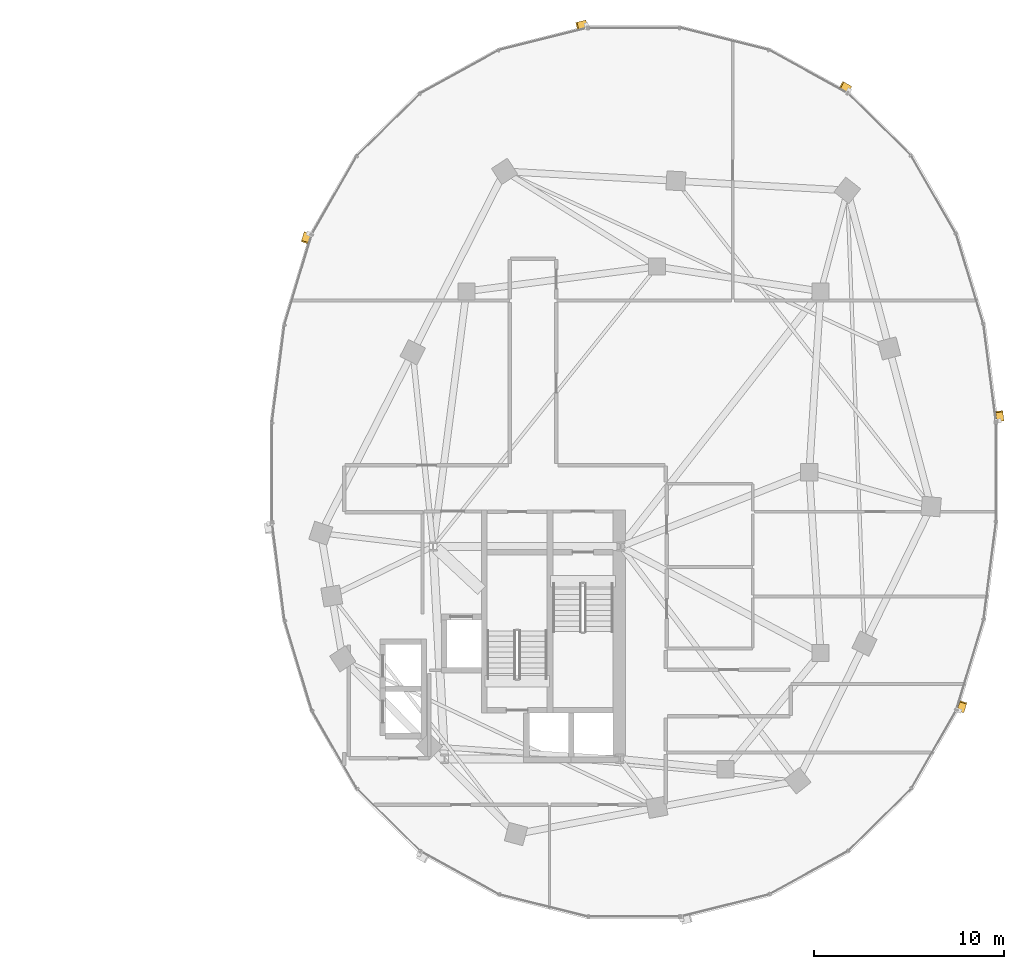
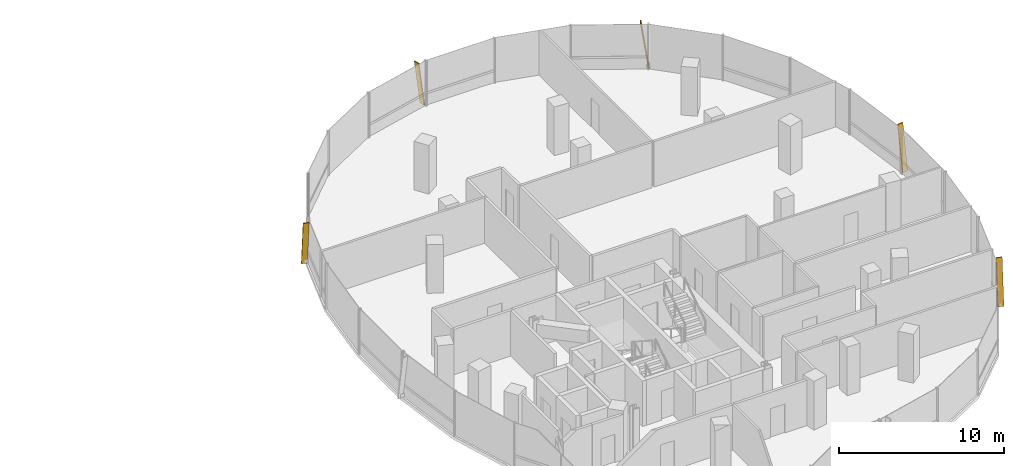
# One storey, part 22 of 22: 5 shading devices.
"""IFC4 building model written with IfcOpenShell, lengths in metres."""

from ifc_helpers import new_model, si_unit, direction, frame, origin, origin_2d, place, context, subcontext, project, spatial, rectangle, extrude, material, material_profile, profile_set, type_object, element, save


model = new_model("IFC4")

# Units and contexts
model_context = context("Model", 3, precision=1e-05, world=origin(), true_north=direction((0.0, 1.0)))
body_context = subcontext(model_context, "Body", "Model", "MODEL_VIEW")
ifc_project = project(units=[si_unit("LENGTHUNIT", "METRE"), si_unit("AREAUNIT", "SQUARE_METRE"), si_unit("VOLUMEUNIT", "CUBIC_METRE"), si_unit("PLANEANGLEUNIT", "RADIAN"), si_unit("MASSUNIT", "GRAM", prefix="KILO"), si_unit("THERMODYNAMICTEMPERATUREUNIT", "KELVIN"), si_unit("POWERUNIT", "WATT")], contexts=[model_context])

# Site, building, storey
site_placement = place(None, origin())
site = spatial("IfcSite", under=ifc_project, at=site_placement, CompositionType="ELEMENT")
building_placement = place(site_placement, origin())
building = spatial("IfcBuilding", under=site, at=building_placement, Name="Cundina Bronze Exchange", CompositionType="ELEMENT")
storey_placement = place(building_placement, frame((0.0, 0.0, 154.800048828125)))
storey = spatial("IfcBuildingStorey", under=building, at=storey_placement, Name="L40", CompositionType="ELEMENT", Elevation=154.800048828125)

# Shading devices
ifc_material = material(Name="Anodised Bronze Aluminium 6063-T6", Category="aluminium")
ifc_material_profile = material_profile(ifc_material, rectangle(XDim=0.070068359375, YDim=0.3798828125, at=origin_2d()), Name="FIN70X380", Category="aluminium")
ifc_profile_set = profile_set([ifc_material_profile], Name="Anodised Bronze Aluminium 6063-T6")
shading_device_type = type_object("IfcShadingDeviceType", Name="SHD-FIN-BRZ380", PredefinedType="USERDEFINED", material=ifc_profile_set)
for number, where, z_axis, x_axis, name in (
    (1, (51.23486328125, 2.705810546875, 0.02001953125), (-0.018123110499, 0.141927973785, 0.989711070527), (0.125360600332, -0.981739641151, 0.143080386066), "L40 Diagonal Bronze Solar Fin 1"),
    (2, (43.320068359375, 20.11181640625, 0.02001953125), (-0.125333488691, 0.068998924088, 0.989712415345), (0.867010347902, -0.477308832643, 0.143071083426), "L40 Diagonal Bronze Solar Fin 5"),
    (3, (29.48046875, 23.556396484375, 0.02001953125), (-0.138798398751, -0.034717795597, 0.989711917263), (0.960131970194, 0.240158861973, 0.143074528925), "L40 Diagonal Bronze Solar Fin 1"),
    (4, (14.848876953125, 12.5439453125, 0.02001953125), (-0.041486383227, -0.136977847776, 0.989704980904), (0.286882071994, 0.94721413946, 0.143122502684), "L40 Diagonal Bronze Solar Fin 5"),
    (5, (49.151123046875, -12.5439453125, 0.02001953125), (0.041486383227, 0.136977847776, 0.989704980904), (-0.286882071994, -0.94721413946, 0.143122502684), "L40 Diagonal Bronze Solar Fin 5"),
):
    element("IfcShadingDevice", number, at=place(storey_placement, frame(where, z_axis=z_axis, x_axis=x_axis)), inside=storey, type_object=shading_device_type, Name=name, ObjectType="FIN", PredefinedType="USERDEFINED", context=body_context, shape_type="SweptSolid", body=[
        extrude(rectangle(XDim=0.070068359375, YDim=0.3798828125, at=origin_2d()), origin(), (0.0, 0.0, 1.0), 3.354248046875),
    ])

save(model, "model.ifc")
